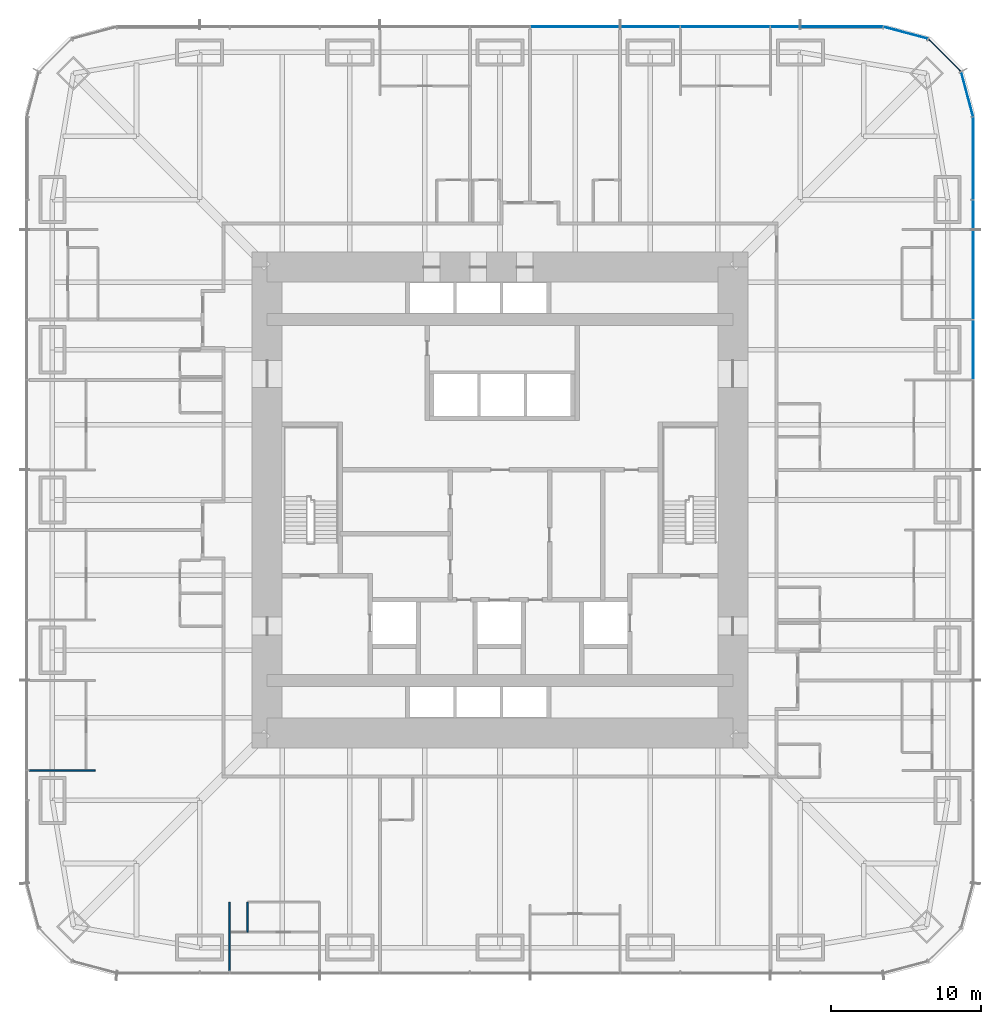
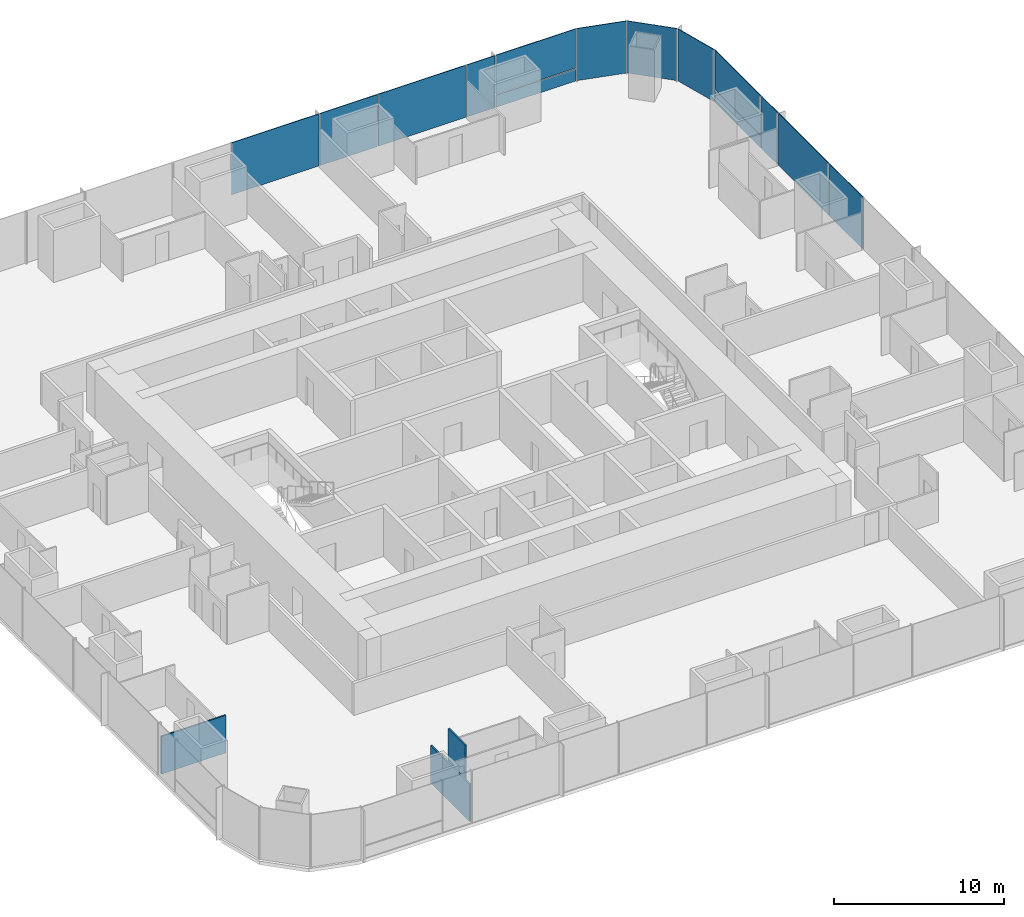
# One storey, part 11 of 17: 14 plates, 3 walls, 3 elements without a shape of their own.
"""IFC4 building model written with IfcOpenShell, lengths in metres."""

from ifc_helpers import new_model, si_unit, direction, frame, frame_2d, origin, origin_2d, place, context, subcontext, project, spatial, rectangle, extrude, material, layer, layer_set, type_object, element, aggregate, save


model = new_model("IFC4")

# Units and contexts
model_context = context("Model", 3, precision=1e-05, world=origin(), true_north=direction((0.0, 1.0)))
body_context = subcontext(model_context, "Body", "Model", "MODEL_VIEW")
ifc_project = project(units=[si_unit("LENGTHUNIT", "METRE"), si_unit("AREAUNIT", "SQUARE_METRE"), si_unit("VOLUMEUNIT", "CUBIC_METRE"), si_unit("PLANEANGLEUNIT", "RADIAN"), si_unit("MASSUNIT", "GRAM", prefix="KILO")], contexts=[model_context])

# Site, building, storey
site_placement = place(None, origin())
site = spatial("IfcSite", under=ifc_project, at=site_placement, CompositionType="ELEMENT")
building_placement = place(site_placement, origin())
building = spatial("IfcBuilding", under=site, at=building_placement, Name="Khuree Lantern Residences", CompositionType="ELEMENT")
storey_placement = place(building_placement, frame((0.0, 0.0, 51.0)))
storey = spatial("IfcBuildingStorey", under=building, at=storey_placement, Name="L12", CompositionType="ELEMENT", Elevation=51.0)

# Curtain wall, plates
ifc_material_1 = material(Name="Bronze anodised aluminium", Category="aluminium")
curtain_wall_type_1 = type_object("IfcCurtainWallType", Name="CW-T2 TOWER CORNER CURTAIN WALL", PredefinedType="USERDEFINED", material=ifc_material_1)
curtain_wall_1_placement = place(storey_placement, origin())
curtain_wall_1 = element("IfcCurtainWall", 1, at=curtain_wall_1_placement, inside=storey, type_object=curtain_wall_type_1, Name="L12 NORTH-EAST CORNER CURTAIN WALL", ObjectType="Faceted corner curtain wall", PredefinedType="USERDEFINED")
ifc_material_2 = material(Name="Bronze tinted triple glazing", Category="glass")
ifc_layer_1 = layer(ifc_material_2, 0.048095703125)
ifc_layer_set_1 = layer_set([ifc_layer_1], Name="FACET PANEL P4")
plate_type_1 = type_object("IfcPlateType", Name="FACET PANEL P4", PredefinedType="CURTAIN_PANEL", material=ifc_layer_set_1)
plate_1_placement = place(storey_placement, frame((31.0986328125, 26.998046875, 0.0), z_axis=(0.0, 0.0, 1.0), x_axis=(-0.258819172081, 0.965925792265, 0.0)))
plate_1 = element("IfcPlate", 2, at=plate_1_placement, type_object=plate_type_1, Name="L12 NORTH-EAST CORNER PANEL 15.1", PredefinedType="CURTAIN_PANEL", context=body_context, shape_type="SweptSolid", body=[
    extrude(rectangle(XDim=3.02978515625, YDim=0.048095703125, at=origin_2d()), origin(), (0.0, 0.0, 1.0), 3.75),
])
plate_2_placement = place(storey_placement, frame((29.59814453125, 29.59814453125, 0.0), z_axis=(0.0, 0.0, 1.0), x_axis=(-0.707106781187, 0.707106781187, 0.0)))
plate_2 = element("IfcPlate", 3, at=plate_2_placement, type_object=plate_type_1, Name="L12 NORTH-EAST CORNER PANEL 16.1", PredefinedType="CURTAIN_PANEL", context=body_context, shape_type="SweptSolid", body=[
    extrude(rectangle(XDim=3.025634765625, YDim=0.048095703125, at=origin_2d()), origin(), (0.0, 0.0, 1.0), 3.75),
])
plate_3_placement = place(storey_placement, frame((26.998046875, 31.0986328125, 0.0), z_axis=(0.0, 0.0, 1.0), x_axis=(-0.965925792265, 0.258819172081, 0.0)))
plate_3 = element("IfcPlate", 4, at=plate_3_placement, type_object=plate_type_1, Name="L12 NORTH-EAST CORNER PANEL 17.1", PredefinedType="CURTAIN_PANEL", context=body_context, shape_type="SweptSolid", body=[
    extrude(rectangle(XDim=3.02978515625, YDim=0.048095703125, at=origin_2d()), origin(), (0.0, 0.0, 1.0), 3.75),
])
aggregate(curtain_wall_1, [plate_1, plate_2, plate_3])

# Curtain wall, plate
curtain_wall_type_2 = type_object("IfcCurtainWallType", Name="CW-T1 TOWER FACE CURTAIN WALL", PredefinedType="USERDEFINED", material=ifc_material_1)
curtain_wall_2_placement = place(storey_placement, origin())
curtain_wall_2 = element("IfcCurtainWall", 5, at=curtain_wall_2_placement, inside=storey, type_object=curtain_wall_type_2, Name="L12 EAST FACE CURTAIN WALL", ObjectType="Stick-built curtain wall", PredefinedType="USERDEFINED")
ifc_material_3 = material(Name="Bronze tinted triple glazing with a ceramic-fritted spandrel band", Category="glass")
ifc_layer_2 = layer(ifc_material_3, 0.048095703125)
ifc_layer_set_2 = layer_set([ifc_layer_2], Name="FIXED LIGHT PANEL P11")
plate_type_2 = type_object("IfcPlateType", Name="FIXED LIGHT PANEL P11", PredefinedType="CURTAIN_PANEL", material=ifc_layer_set_2)
plate_4_placement = place(storey_placement, frame((31.5, 15.0, 0.0), z_axis=(0.0, 0.0, 1.0), x_axis=(0.0, 1.0, 0.0)))
plate_4 = element("IfcPlate", 6, at=plate_4_placement, type_object=plate_type_2, Name="L12 EAST FACE PANEL 12.1", PredefinedType="CURTAIN_PANEL", context=body_context, shape_type="SweptSolid", body=[
    extrude(rectangle(XDim=5.93505859375, YDim=0.048095703125, at=origin_2d()), origin(), (0.0, 0.0, 1.0), 3.75),
])

# Curtain wall, plates
curtain_wall_3_placement = place(storey_placement, origin())
curtain_wall_3 = element("IfcCurtainWall", 7, at=curtain_wall_3_placement, inside=storey, type_object=curtain_wall_type_2, Name="L12 NORTH FACE CURTAIN WALL", ObjectType="Stick-built curtain wall", PredefinedType="USERDEFINED")
plate_5_placement = place(storey_placement, frame((15.0, 31.5, 0.0), z_axis=(0.0, 0.0, 1.0), x_axis=(-1.0, 0.0, 0.0)))
plate_5 = element("IfcPlate", 8, at=plate_5_placement, type_object=plate_type_2, Name="L12 NORTH FACE PANEL 20.1", PredefinedType="CURTAIN_PANEL", context=body_context, shape_type="SweptSolid", body=[
    extrude(rectangle(XDim=5.93505859375, YDim=0.048095703125, at=origin_2d()), origin(), (0.0, 0.0, 1.0), 3.75),
])
plate_6_placement = place(storey_placement, frame((5.0, 31.5, 0.0), z_axis=(0.0, 0.0, 1.0), x_axis=(-1.0, 0.0, 0.0)))
plate_6 = element("IfcPlate", 9, at=plate_6_placement, type_object=plate_type_2, Name="L12 NORTH FACE PANEL 22.1", PredefinedType="CURTAIN_PANEL", context=body_context, shape_type="SweptSolid", body=[
    extrude(rectangle(XDim=5.93505859375, YDim=0.048095703125, at=origin_2d()), origin(), (0.0, 0.0, 1.0), 3.75),
])

# Plate
ifc_material_4 = material(Name="Bronze tinted triple glazing, two aluminium-framed sashes in one frame", Category="aluminium")
ifc_layer_3 = layer(ifc_material_4, 0.048095703125)
ifc_layer_set_3 = layer_set([ifc_layer_3], Name="SASH PAIR PANEL P12")
plate_type_3 = type_object("IfcPlateType", Name="SASH PAIR PANEL P12", PredefinedType="CURTAIN_PANEL", material=ifc_layer_set_3)
plate_7_placement = place(storey_placement, frame((31.5, 10.0, 0.0), z_axis=(0.0, 0.0, 1.0), x_axis=(0.0, 1.0, 0.0)))
plate_7 = element("IfcPlate", 10, at=plate_7_placement, type_object=plate_type_3, Name="L12 EAST FACE PANEL 11.1", PredefinedType="CURTAIN_PANEL", context=body_context, shape_type="SweptSolid", body=[
    extrude(rectangle(XDim=3.93505859375, YDim=0.048095703125, at=origin_2d()), origin(), (0.0, 0.0, 1.0), 3.75),
])

plate_8_placement = place(storey_placement, frame((10.0, 31.5, 0.0), z_axis=(0.0, 0.0, 1.0), x_axis=(-1.0, 0.0, 0.0)))
plate_8 = element("IfcPlate", 11, at=plate_8_placement, type_object=plate_type_3, Name="L12 NORTH FACE PANEL 21.1", PredefinedType="CURTAIN_PANEL", context=body_context, shape_type="SweptSolid", body=[
    extrude(rectangle(XDim=3.93505859375, YDim=0.048095703125, at=origin_2d()), origin(), (0.0, 0.0, 1.0), 3.75),
])

ifc_material_5 = material(Name="Bronze tinted triple glazing, aluminium-framed sash", Category="aluminium")
ifc_layer_4 = layer(ifc_material_5, 0.048095703125)
ifc_layer_set_4 = layer_set([ifc_layer_4], Name="SASH PANEL P3")
plate_type_4 = type_object("IfcPlateType", Name="SASH PANEL P3", PredefinedType="CURTAIN_PANEL", material=ifc_layer_set_4)
plate_9_placement = place(storey_placement, frame((31.5, 19.0, 0.0), z_axis=(0.0, 0.0, 1.0), x_axis=(0.0, 1.0, 0.0)))
plate_9 = element("IfcPlate", 12, at=plate_9_placement, type_object=plate_type_4, Name="L12 EAST FACE PANEL 13.1", PredefinedType="CURTAIN_PANEL", context=body_context, shape_type="SweptSolid", body=[
    extrude(rectangle(XDim=1.93505859375, YDim=0.048095703125, at=origin_2d()), origin(), (0.0, 0.0, 1.0), 3.75),
])

plate_10_placement = place(storey_placement, frame((19.0, 31.5, 0.0), z_axis=(0.0, 0.0, 1.0), x_axis=(-1.0, 0.0, 0.0)))
plate_10 = element("IfcPlate", 13, at=plate_10_placement, type_object=plate_type_4, Name="L12 NORTH FACE PANEL 19.1", PredefinedType="CURTAIN_PANEL", context=body_context, shape_type="SweptSolid", body=[
    extrude(rectangle(XDim=1.93505859375, YDim=0.048095703125, at=origin_2d()), origin(), (0.0, 0.0, 1.0), 3.75),
])

ifc_material_6 = material(Name="Bronze anodised aluminium insulated spandrel", Category="aluminium")
ifc_layer_5 = layer(ifc_material_6, 0.06005859375)
ifc_layer_set_5 = layer_set([ifc_layer_5], Name="SPANDREL PANEL P2")
plate_type_5 = type_object("IfcPlateType", Name="SPANDREL PANEL P2", PredefinedType="CURTAIN_PANEL", material=ifc_layer_set_5)
plate_11_placement = place(storey_placement, frame((31.5, 22.747802734375, 0.0), z_axis=(0.0, 0.0, 1.0), x_axis=(0.0, 1.0, 0.0)))
plate_11 = element("IfcPlate", 14, at=plate_11_placement, type_object=plate_type_5, Name="L12 EAST FACE PANEL 14.1", PredefinedType="CURTAIN_PANEL", context=body_context, shape_type="SweptSolid", body=[
    extrude(rectangle(XDim=5.4306640625, YDim=0.06005859375, at=origin_2d()), origin(), (0.0, 0.0, 1.0), 0.867431640625),
])

plate_12_placement = place(storey_placement, frame((22.747802734375, 31.5, 0.0), z_axis=(0.0, 0.0, 1.0), x_axis=(-1.0, 0.0, 0.0)))
plate_12 = element("IfcPlate", 15, at=plate_12_placement, type_object=plate_type_5, Name="L12 NORTH FACE PANEL 18.1", PredefinedType="CURTAIN_PANEL", context=body_context, shape_type="SweptSolid", body=[
    extrude(rectangle(XDim=5.4306640625, YDim=0.06005859375, at=origin_2d()), origin(), (0.0, 0.0, 1.0), 0.867431640625),
])

ifc_layer_6 = layer(ifc_material_2, 0.048095703125)
ifc_layer_set_6 = layer_set([ifc_layer_6], Name="VISION PANEL P1")
plate_type_6 = type_object("IfcPlateType", Name="VISION PANEL P1", PredefinedType="CURTAIN_PANEL", material=ifc_layer_set_6)
plate_13_placement = place(storey_placement, frame((31.5, 22.748291015625, 0.9326171875), z_axis=(0.0, 0.0, 1.0), x_axis=(0.0, 1.0, 0.0)))
plate_13 = element("IfcPlate", 16, at=plate_13_placement, type_object=plate_type_6, Name="L12 EAST FACE PANEL 14.2", PredefinedType="CURTAIN_PANEL", context=body_context, shape_type="SweptSolid", body=[
    extrude(rectangle(XDim=5.431640625, YDim=0.048095703125, at=origin_2d()), origin(), (0.0, 0.0, 1.0), 2.8173828125),
])

aggregate(curtain_wall_2, [plate_7, plate_4, plate_9, plate_11, plate_13])

plate_14_placement = place(storey_placement, frame((22.748291015625, 31.5, 0.9326171875), z_axis=(0.0, 0.0, 1.0), x_axis=(-1.0, 0.0, 0.0)))
plate_14 = element("IfcPlate", 17, at=plate_14_placement, type_object=plate_type_6, Name="L12 NORTH FACE PANEL 18.2", PredefinedType="CURTAIN_PANEL", context=body_context, shape_type="SweptSolid", body=[
    extrude(rectangle(XDim=5.431640625, YDim=0.048095703125, at=origin_2d()), origin(), (0.0, 0.0, 1.0), 2.8173828125),
])

aggregate(curtain_wall_3, [plate_12, plate_14, plate_10, plate_5, plate_8, plate_6])

# Walls
ifc_material_7 = material(Name="Gypsum board on steel studs", Category="steel")
ifc_layer_7 = layer(ifc_material_7, 0.10009765625)
ifc_layer_set_7 = layer_set([ifc_layer_7], Name="PARTITION PT100")
wall_type = type_object("IfcWallType", Name="PARTITION PT100", PredefinedType="PARTITIONING", material=ifc_layer_set_7)
wall_1_placement = place(storey_placement, frame((-26.949951171875, -18.0, 0.0), z_axis=(0.0, 0.0, 1.0), x_axis=(-1.0, 0.0, 0.0)))
element("IfcWall", 18, at=wall_1_placement, inside=storey, type_object=wall_type, Name="L12 PARTITION 08", PredefinedType="PARTITIONING", context=body_context, shape_type="SweptSolid", body=[
    extrude(rectangle(XDim=4.400146484375, YDim=0.10009765625, at=frame_2d((2.2001953125, 0.0))), origin(), (0.0, 0.0, 1.0), 2.7099609375),
])
wall_2_placement = place(storey_placement, frame((-18.0, -26.7666015625, 0.0), z_axis=(0.0, 0.0, 1.0), x_axis=(0.0, -1.0, 0.0)))
element("IfcWall", 19, at=wall_2_placement, inside=storey, type_object=wall_type, Name="L12 PARTITION 08", PredefinedType="PARTITIONING", context=body_context, shape_type="SweptSolid", body=[
    extrude(rectangle(XDim=4.58349609375, YDim=0.10009765625, at=frame_2d((2.291748046875, 0.0))), origin(), (0.0, 0.0, 1.0), 2.7099609375),
])
wall_3_placement = place(storey_placement, frame((-16.800048828125, -26.7666015625, 0.0), z_axis=(0.0, 0.0, 1.0), x_axis=(0.0, -1.0, 0.0)))
element("IfcWall", 20, at=wall_3_placement, inside=storey, type_object=wall_type, Name="L12 PARTITION 08", PredefinedType="PARTITIONING", context=body_context, shape_type="SweptSolid", body=[
    extrude(rectangle(XDim=2.0, YDim=0.10009765625, at=frame_2d((1.0, 0.0))), origin(), (0.0, 0.0, 1.0), 3.5),
])

save(model, "model.ifc")
